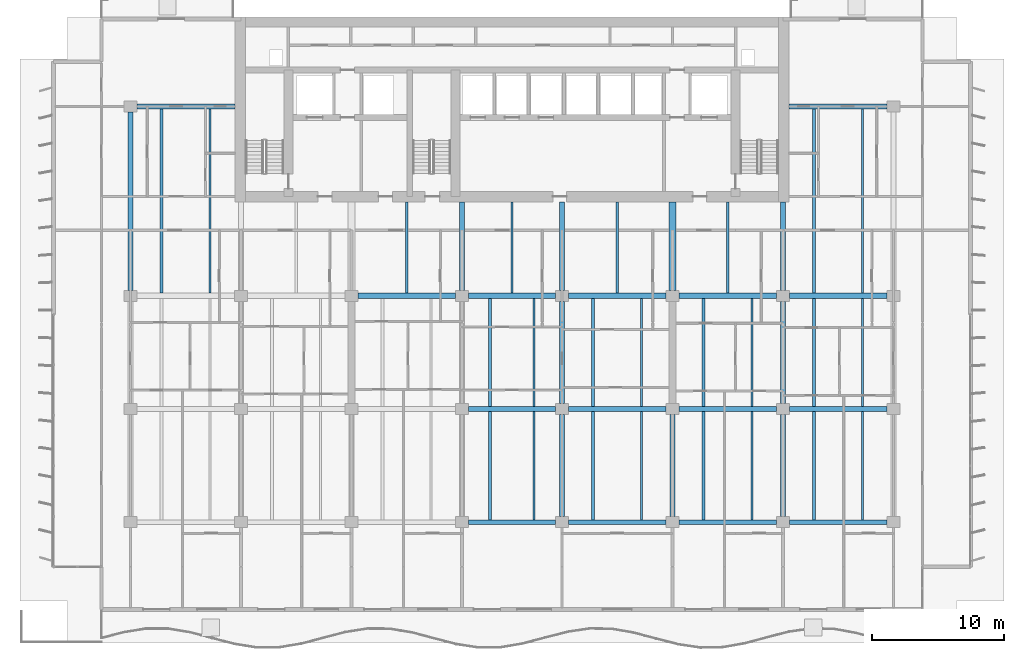
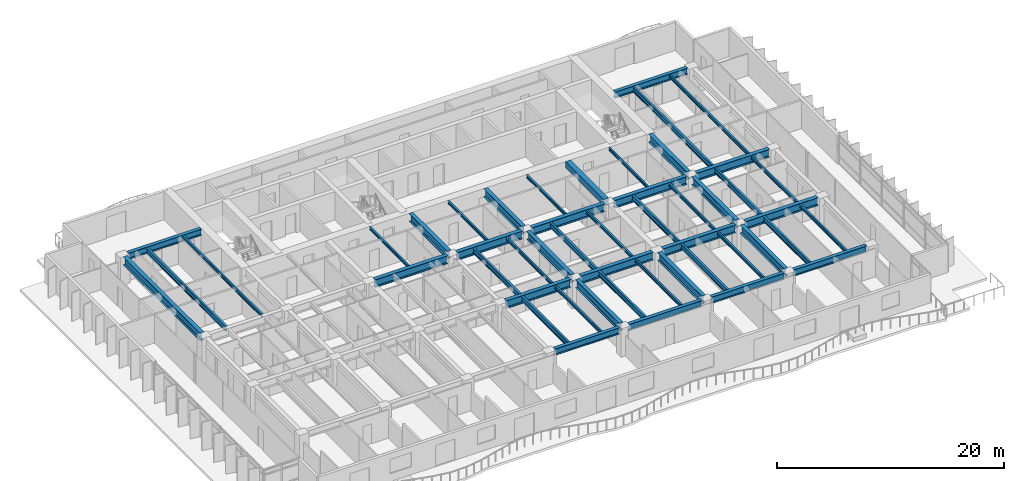
# One storey, part 3 of 17: 49 beams.
"""IFC4 building model written with IfcOpenShell, lengths in metres."""

from ifc_helpers import new_model, si_unit, direction, frame, origin, origin_2d, place, context, subcontext, project, spatial, rectangle, i_section, extrude, material, material_profile, profile_set, type_object, element, save


model = new_model("IFC4")

# Units and contexts
model_context = context("Model", 3, precision=1e-05, world=origin(), true_north=direction((0.0, 1.0)))
body_context = subcontext(model_context, "Body", "Model", "MODEL_VIEW")
ifc_project = project(units=[si_unit("LENGTHUNIT", "METRE"), si_unit("AREAUNIT", "SQUARE_METRE"), si_unit("VOLUMEUNIT", "CUBIC_METRE"), si_unit("PLANEANGLEUNIT", "RADIAN"), si_unit("MASSUNIT", "GRAM", prefix="KILO")], contexts=[model_context])

# Site, building, storey
site_placement = place(None, origin())
site = spatial("IfcSite", under=ifc_project, at=site_placement, CompositionType="ELEMENT")
building_placement = place(site_placement, origin())
building = spatial("IfcBuilding", under=site, at=building_placement, Name="Caelmar Bay Residences", CompositionType="ELEMENT")
storey_placement = place(building_placement, frame((0.0, 0.0, 84.60009765625)))
storey = spatial("IfcBuildingStorey", under=building, at=storey_placement, Name="L22", CompositionType="ELEMENT", Elevation=84.60009765625)

# Beams
ifc_material_1 = material(Name="Steel ASTM A992 Grade 50", Category="steel")
ifc_material_profile_1 = material_profile(ifc_material_1, i_section(OverallWidth=0.40087890625, OverallDepth=0.861083984375, WebThickness=0.019775390625, FlangeThickness=0.032470703125, FilletRadius=0.017822265625, at=origin_2d()), Name="W33X221")
ifc_profile_set_1 = profile_set([ifc_material_profile_1], Name="Steel ASTM A992 Grade 50")
beam_type_1 = type_object("IfcBeamType", Name="BM-GRD-W33X221", PredefinedType="BEAM", material=ifc_profile_set_1)
beam_1_placement = place(storey_placement, frame((35.590087890625, 20.800048828125, 2.619384765625), z_axis=(1.0, 0.0, 0.0), x_axis=(0.0, 1.0, 0.0)))
element("IfcBeam", 1, at=beam_1_placement, inside=storey, type_object=beam_type_1, Name="L22 East-West Girder Y=20.80 (35.1-42.7)", PredefinedType="BEAM", context=body_context, shape_type="SweptSolid", body=[
    extrude(i_section(OverallWidth=0.40087890625, OverallDepth=0.861083984375, WebThickness=0.019775390625, FlangeThickness=0.032470703125, FilletRadius=0.017822265625, at=origin_2d()), origin(), (0.0, 0.0, 1.0), 6.619873046875),
])
beam_2_placement = place(storey_placement, frame((43.18994140625, 20.800048828125, 2.619384765625), z_axis=(1.0, 0.0, 0.0), x_axis=(0.0, 1.0, 0.0)))
element("IfcBeam", 2, at=beam_2_placement, inside=storey, type_object=beam_type_1, Name="L22 East-West Girder Y=20.80 (42.7-51.1)", PredefinedType="BEAM", context=body_context, shape_type="SweptSolid", body=[
    extrude(i_section(OverallWidth=0.40087890625, OverallDepth=0.861083984375, WebThickness=0.019775390625, FlangeThickness=0.032470703125, FilletRadius=0.017822265625, at=origin_2d()), origin(), (0.0, 0.0, 1.0), 7.420166015625),
])
for number, where, z_axis, x_axis, name in (
    (3, (51.590087890625, 20.800048828125, 2.619384765625), (1.0, 0.0, 0.0), (0.0, 1.0, 0.0), "L22 East-West Girder Y=20.80 (51.1-59.5)"),
    (4, (59.989990234375, 20.800048828125, 2.619384765625), (1.0, 0.0, 0.0), (0.0, 1.0, 0.0), "L22 East-West Girder Y=20.80 (59.5-67.9)"),
):
    element("IfcBeam", number, at=place(storey_placement, frame(where, z_axis=z_axis, x_axis=x_axis)), inside=storey, type_object=beam_type_1, Name=name, PredefinedType="BEAM", context=body_context, shape_type="SweptSolid", body=[
        extrude(i_section(OverallWidth=0.40087890625, OverallDepth=0.861083984375, WebThickness=0.019775390625, FlangeThickness=0.032470703125, FilletRadius=0.017822265625, at=origin_2d()), origin(), (0.0, 0.0, 1.0), 7.419921875),
    ])
beam_3_placement = place(storey_placement, frame((27.18994140625, 29.39990234375, 2.619384765625), z_axis=(1.0, 0.0, 0.0), x_axis=(0.0, 1.0, 0.0)))
element("IfcBeam", 5, at=beam_3_placement, inside=storey, type_object=beam_type_1, Name="L22 East-West Girder Y=29.40 (26.7-35.1)", PredefinedType="BEAM", context=body_context, shape_type="SweptSolid", body=[
    extrude(i_section(OverallWidth=0.40087890625, OverallDepth=0.861083984375, WebThickness=0.019775390625, FlangeThickness=0.032470703125, FilletRadius=0.017822265625, at=origin_2d()), origin(), (0.0, 0.0, 1.0), 7.420166015625),
])
beam_4_placement = place(storey_placement, frame((35.590087890625, 29.39990234375, 2.619384765625), z_axis=(1.0, 0.0, 0.0), x_axis=(0.0, 1.0, 0.0)))
element("IfcBeam", 6, at=beam_4_placement, inside=storey, type_object=beam_type_1, Name="L22 East-West Girder Y=29.40 (35.1-42.7)", PredefinedType="BEAM", context=body_context, shape_type="SweptSolid", body=[
    extrude(i_section(OverallWidth=0.40087890625, OverallDepth=0.861083984375, WebThickness=0.019775390625, FlangeThickness=0.032470703125, FilletRadius=0.017822265625, at=origin_2d()), origin(), (0.0, 0.0, 1.0), 6.619873046875),
])
beam_5_placement = place(storey_placement, frame((43.18994140625, 29.39990234375, 2.619384765625), z_axis=(1.0, 0.0, 0.0), x_axis=(0.0, 1.0, 0.0)))
element("IfcBeam", 7, at=beam_5_placement, inside=storey, type_object=beam_type_1, Name="L22 East-West Girder Y=29.40 (42.7-51.1)", PredefinedType="BEAM", context=body_context, shape_type="SweptSolid", body=[
    extrude(i_section(OverallWidth=0.40087890625, OverallDepth=0.861083984375, WebThickness=0.019775390625, FlangeThickness=0.032470703125, FilletRadius=0.017822265625, at=origin_2d()), origin(), (0.0, 0.0, 1.0), 7.420166015625),
])
for number, where, z_axis, x_axis, name in (
    (8, (51.590087890625, 29.39990234375, 2.619384765625), (1.0, 0.0, 0.0), (0.0, 1.0, 0.0), "L22 East-West Girder Y=29.40 (51.1-59.5)"),
    (9, (59.989990234375, 29.39990234375, 2.619384765625), (1.0, 0.0, 0.0), (0.0, 1.0, 0.0), "L22 East-West Girder Y=29.40 (59.5-67.9)"),
):
    element("IfcBeam", number, at=place(storey_placement, frame(where, z_axis=z_axis, x_axis=x_axis)), inside=storey, type_object=beam_type_1, Name=name, PredefinedType="BEAM", context=body_context, shape_type="SweptSolid", body=[
        extrude(i_section(OverallWidth=0.40087890625, OverallDepth=0.861083984375, WebThickness=0.019775390625, FlangeThickness=0.032470703125, FilletRadius=0.017822265625, at=origin_2d()), origin(), (0.0, 0.0, 1.0), 7.419921875),
    ])
beam_6_placement = place(storey_placement, frame((9.89990234375, 29.81494140625, 2.619384765625), z_axis=(0.0, 1.0, 0.0), x_axis=(-1.0, 0.0, 0.0)))
element("IfcBeam", 10, at=beam_6_placement, inside=storey, type_object=beam_type_1, Name="L22 North-South Girder X=9.90 (29.4-43.8)", PredefinedType="BEAM", context=body_context, shape_type="SweptSolid", body=[
    extrude(i_section(OverallWidth=0.40087890625, OverallDepth=0.861083984375, WebThickness=0.019775390625, FlangeThickness=0.032470703125, FilletRadius=0.017822265625, at=origin_2d()), origin(), (0.0, 0.0, 1.0), 13.570068359375),
])
for number, where, z_axis, x_axis, name in (
    (11, (35.10009765625, 29.81494140625, 2.619384765625), (0.0, 1.0, 0.0), (-1.0, 0.0, 0.0), "L22 Core Tie Girder X=35.10"),
    (12, (42.699951171875, 29.81494140625, 2.619384765625), (0.0, 1.0, 0.0), (-1.0, 0.0, 0.0), "L22 Core Tie Girder X=42.70"),
):
    element("IfcBeam", number, at=place(storey_placement, frame(where, z_axis=z_axis, x_axis=x_axis)), inside=storey, type_object=beam_type_1, Name=name, PredefinedType="BEAM", context=body_context, shape_type="SweptSolid", body=[
        extrude(i_section(OverallWidth=0.40087890625, OverallDepth=0.861083984375, WebThickness=0.019775390625, FlangeThickness=0.032470703125, FilletRadius=0.017822265625, at=origin_2d()), origin(), (0.0, 0.0, 1.0), 6.735107421875),
    ])
for number, where, z_axis, x_axis, name in (
    (13, (42.699951171875, 12.614990234375, 2.619384765625), (0.0, 1.0, 0.0), (-1.0, 0.0, 0.0), "L22 North-South Girder X=42.70 (12.2-20.8)"),
    (14, (42.699951171875, 21.215087890625, 2.619384765625), (0.0, 1.0, 0.0), (-1.0, 0.0, 0.0), "L22 North-South Girder X=42.70 (20.8-29.4)"),
    (15, (51.10009765625, 12.614990234375, 2.619384765625), (0.0, 1.0, 0.0), (-1.0, 0.0, 0.0), "L22 North-South Girder X=51.10 (12.2-20.8)"),
):
    element("IfcBeam", number, at=place(storey_placement, frame(where, z_axis=z_axis, x_axis=x_axis)), inside=storey, type_object=beam_type_1, Name=name, PredefinedType="BEAM", context=body_context, shape_type="SweptSolid", body=[
        extrude(i_section(OverallWidth=0.40087890625, OverallDepth=0.861083984375, WebThickness=0.019775390625, FlangeThickness=0.032470703125, FilletRadius=0.017822265625, at=origin_2d()), origin(), (0.0, 0.0, 1.0), 7.77001953125),
    ])
beam_7_placement = place(storey_placement, frame((59.5, 29.81494140625, 2.619384765625), z_axis=(0.0, 1.0, 0.0), x_axis=(-1.0, 0.0, 0.0)))
element("IfcBeam", 16, at=beam_7_placement, inside=storey, type_object=beam_type_1, Name="L22 Core Tie Girder X=59.50", PredefinedType="BEAM", context=body_context, shape_type="SweptSolid", body=[
    extrude(i_section(OverallWidth=0.40087890625, OverallDepth=0.861083984375, WebThickness=0.019775390625, FlangeThickness=0.032470703125, FilletRadius=0.017822265625, at=origin_2d()), origin(), (0.0, 0.0, 1.0), 6.735107421875),
])
for number, where, z_axis, x_axis, name in (
    (17, (59.5, 12.614990234375, 2.619384765625), (0.0, 1.0, 0.0), (-1.0, 0.0, 0.0), "L22 North-South Girder X=59.50 (12.2-20.8)"),
    (18, (59.5, 21.215087890625, 2.619384765625), (0.0, 1.0, 0.0), (-1.0, 0.0, 0.0), "L22 North-South Girder X=59.50 (20.8-29.4)"),
):
    element("IfcBeam", number, at=place(storey_placement, frame(where, z_axis=z_axis, x_axis=x_axis)), inside=storey, type_object=beam_type_1, Name=name, PredefinedType="BEAM", context=body_context, shape_type="SweptSolid", body=[
        extrude(i_section(OverallWidth=0.40087890625, OverallDepth=0.861083984375, WebThickness=0.019775390625, FlangeThickness=0.032470703125, FilletRadius=0.017822265625, at=origin_2d()), origin(), (0.0, 0.0, 1.0), 7.77001953125),
    ])
ifc_material_profile_2 = material_profile(ifc_material_1, i_section(OverallWidth=0.1650390625, OverallDepth=0.31005859375, WebThickness=0.005859375, FlangeThickness=0.009765625, FilletRadius=0.007568359375, at=origin_2d()), Name="W12X26")
ifc_profile_set_2 = profile_set([ifc_material_profile_2], Name="Steel ASTM A992 Grade 50")
beam_type_2 = type_object("IfcBeamType", Name="BM-JST-W12X26", PredefinedType="JOIST", material=ifc_profile_set_2)
for number, where, z_axis, x_axis, name in (
    (19, (30.89990234375, 29.6005859375, 2.89501953125), (0.0, 1.0, 0.0), (-1.0, 0.0, 0.0), "L22 Core-Band Composite Joist 30"),
    (20, (38.89990234375, 29.6005859375, 2.89501953125), (0.0, 1.0, 0.0), (-1.0, 0.0, 0.0), "L22 Core-Band Composite Joist 31"),
    (21, (46.89990234375, 29.6005859375, 2.89501953125), (0.0, 1.0, 0.0), (-1.0, 0.0, 0.0), "L22 Core-Band Composite Joist 32"),
    (22, (55.300048828125, 29.6005859375, 2.89501953125), (0.0, 1.0, 0.0), (-1.0, 0.0, 0.0), "L22 Core-Band Composite Joist 33"),
):
    element("IfcBeam", number, at=place(storey_placement, frame(where, z_axis=z_axis, x_axis=x_axis)), inside=storey, type_object=beam_type_2, Name=name, PredefinedType="JOIST", context=body_context, shape_type="SweptSolid", body=[
        extrude(i_section(OverallWidth=0.1650390625, OverallDepth=0.31005859375, WebThickness=0.005859375, FlangeThickness=0.009765625, FilletRadius=0.007568359375, at=origin_2d()), origin(), (0.0, 0.0, 1.0), 6.949462890625),
    ])
ifc_material_profile_3 = material_profile(ifc_material_1, i_section(OverallWidth=0.1708984375, OverallDepth=0.35595703125, WebThickness=0.007080078125, FlangeThickness=0.01171875, FilletRadius=0.007568359375, at=origin_2d()), Name="W14X34")
ifc_profile_set_3 = profile_set([ifc_material_profile_3], Name="Steel ASTM A992 Grade 50")
beam_type_3 = type_object("IfcBeamType", Name="BM-JST-W14X34", PredefinedType="JOIST", material=ifc_profile_set_3)
for number, where, z_axis, x_axis, name in (
    (23, (40.572021484375, 12.3779296875, 2.871826171875), (0.0, 1.0, 0.0), (-1.0, 0.0, 0.0), "L22 Composite Floor Joist 8"),
    (24, (48.748046875, 12.3779296875, 2.871826171875), (0.0, 1.0, 0.0), (-1.0, 0.0, 0.0), "L22 Composite Floor Joist 10"),
    (25, (57.14794921875, 12.3779296875, 2.871826171875), (0.0, 1.0, 0.0), (-1.0, 0.0, 0.0), "L22 Composite Floor Joist 12"),
    (26, (65.548095703125, 12.3779296875, 2.871826171875), (0.0, 1.0, 0.0), (-1.0, 0.0, 0.0), "L22 Composite Floor Joist 14"),
):
    element("IfcBeam", number, at=place(storey_placement, frame(where, z_axis=z_axis, x_axis=x_axis)), inside=storey, type_object=beam_type_3, Name=name, PredefinedType="JOIST", context=body_context, shape_type="SweptSolid", body=[
        extrude(i_section(OverallWidth=0.1708984375, OverallDepth=0.35595703125, WebThickness=0.007080078125, FlangeThickness=0.01171875, FilletRadius=0.007568359375, at=origin_2d()), origin(), (0.0, 0.0, 1.0), 8.2216796875),
    ])
for number, where, z_axis, x_axis, name in (
    (27, (40.572021484375, 21.00048828125, 2.871826171875), (0.0, 1.0, 0.0), (-1.0, 0.0, 0.0), "L22 Composite Floor Joist 22"),
    (28, (48.748046875, 21.00048828125, 2.871826171875), (0.0, 1.0, 0.0), (-1.0, 0.0, 0.0), "L22 Composite Floor Joist 24"),
    (29, (57.14794921875, 21.00048828125, 2.871826171875), (0.0, 1.0, 0.0), (-1.0, 0.0, 0.0), "L22 Composite Floor Joist 26"),
    (30, (65.548095703125, 21.00048828125, 2.871826171875), (0.0, 1.0, 0.0), (-1.0, 0.0, 0.0), "L22 Composite Floor Joist 28"),
):
    element("IfcBeam", number, at=place(storey_placement, frame(where, z_axis=z_axis, x_axis=x_axis)), inside=storey, type_object=beam_type_3, Name=name, PredefinedType="JOIST", context=body_context, shape_type="SweptSolid", body=[
        extrude(i_section(OverallWidth=0.1708984375, OverallDepth=0.35595703125, WebThickness=0.007080078125, FlangeThickness=0.01171875, FilletRadius=0.007568359375, at=origin_2d()), origin(), (0.0, 0.0, 1.0), 8.198974609375),
    ])
for number, where, z_axis, x_axis, name in (
    (31, (15.947998046875, 29.6005859375, 2.871826171875), (0.0, 1.0, 0.0), (-1.0, 0.0, 0.0), "L22 Composite Floor Joist 35"),
    (32, (65.548095703125, 29.6005859375, 2.871826171875), (0.0, 1.0, 0.0), (-1.0, 0.0, 0.0), "L22 Composite Floor Joist 37"),
):
    element("IfcBeam", number, at=place(storey_placement, frame(where, z_axis=z_axis, x_axis=x_axis)), inside=storey, type_object=beam_type_3, Name=name, PredefinedType="JOIST", context=body_context, shape_type="SweptSolid", body=[
        extrude(i_section(OverallWidth=0.1708984375, OverallDepth=0.35595703125, WebThickness=0.007080078125, FlangeThickness=0.01171875, FilletRadius=0.007568359375, at=origin_2d()), origin(), (0.0, 0.0, 1.0), 14.021484375),
    ])
ifc_material_profile_4 = material_profile(ifc_material_1, i_section(OverallWidth=0.214111328125, OverallDepth=0.549072265625, WebThickness=0.0146484375, FlangeThickness=0.023681640625, FilletRadius=0.0126953125, at=origin_2d()), Name="W21X93")
ifc_profile_set_4 = profile_set([ifc_material_profile_4], Name="Steel ASTM A992 Grade 50")
beam_type_4 = type_object("IfcBeamType", Name="BM-JST-W21X93", PredefinedType="JOIST", material=ifc_profile_set_4)
for number, where, z_axis, x_axis, name in (
    (33, (37.22802734375, 12.3779296875, 2.775390625), (0.0, 1.0, 0.0), (-1.0, 0.0, 0.0), "L22 Composite Floor Joist 7"),
    (34, (45.052001953125, 12.3779296875, 2.775390625), (0.0, 1.0, 0.0), (-1.0, 0.0, 0.0), "L22 Composite Floor Joist 9"),
    (35, (53.451904296875, 12.3779296875, 2.775390625), (0.0, 1.0, 0.0), (-1.0, 0.0, 0.0), "L22 Composite Floor Joist 11"),
    (36, (61.85205078125, 12.3779296875, 2.775390625), (0.0, 1.0, 0.0), (-1.0, 0.0, 0.0), "L22 Composite Floor Joist 13"),
):
    element("IfcBeam", number, at=place(storey_placement, frame(where, z_axis=z_axis, x_axis=x_axis)), inside=storey, type_object=beam_type_4, Name=name, PredefinedType="JOIST", context=body_context, shape_type="SweptSolid", body=[
        extrude(i_section(OverallWidth=0.214111328125, OverallDepth=0.549072265625, WebThickness=0.0146484375, FlangeThickness=0.023681640625, FilletRadius=0.0126953125, at=origin_2d()), origin(), (0.0, 0.0, 1.0), 8.2216796875),
    ])
for number, where, z_axis, x_axis, name in (
    (37, (37.22802734375, 21.00048828125, 2.775390625), (0.0, 1.0, 0.0), (-1.0, 0.0, 0.0), "L22 Composite Floor Joist 21"),
    (38, (45.052001953125, 21.00048828125, 2.775390625), (0.0, 1.0, 0.0), (-1.0, 0.0, 0.0), "L22 Composite Floor Joist 23"),
    (39, (53.451904296875, 21.00048828125, 2.775390625), (0.0, 1.0, 0.0), (-1.0, 0.0, 0.0), "L22 Composite Floor Joist 25"),
    (40, (61.85205078125, 21.00048828125, 2.775390625), (0.0, 1.0, 0.0), (-1.0, 0.0, 0.0), "L22 Composite Floor Joist 27"),
):
    element("IfcBeam", number, at=place(storey_placement, frame(where, z_axis=z_axis, x_axis=x_axis)), inside=storey, type_object=beam_type_4, Name=name, PredefinedType="JOIST", context=body_context, shape_type="SweptSolid", body=[
        extrude(i_section(OverallWidth=0.214111328125, OverallDepth=0.549072265625, WebThickness=0.0146484375, FlangeThickness=0.023681640625, FilletRadius=0.0126953125, at=origin_2d()), origin(), (0.0, 0.0, 1.0), 8.198974609375),
    ])
for number, where, z_axis, x_axis, name in (
    (41, (12.251953125, 29.6005859375, 2.775390625), (0.0, 1.0, 0.0), (-1.0, 0.0, 0.0), "L22 Composite Floor Joist 34"),
    (42, (61.85205078125, 29.6005859375, 2.775390625), (0.0, 1.0, 0.0), (-1.0, 0.0, 0.0), "L22 Composite Floor Joist 36"),
):
    element("IfcBeam", number, at=place(storey_placement, frame(where, z_axis=z_axis, x_axis=x_axis)), inside=storey, type_object=beam_type_4, Name=name, PredefinedType="JOIST", context=body_context, shape_type="SweptSolid", body=[
        extrude(i_section(OverallWidth=0.214111328125, OverallDepth=0.549072265625, WebThickness=0.0146484375, FlangeThickness=0.023681640625, FilletRadius=0.0126953125, at=origin_2d()), origin(), (0.0, 0.0, 1.0), 14.021484375),
    ])
ifc_material_2 = material(Name="Concrete f'c 55 MPa (8,000 psi)", Category="concrete")
ifc_material_profile_5 = material_profile(ifc_material_2, rectangle(XDim=0.5, YDim=0.699951171875, at=origin_2d()), Name="RC-BM-500X700")
ifc_profile_set_5 = profile_set([ifc_material_profile_5], Name="Concrete f'c 55 MPa (8,000 psi)")
beam_type_5 = type_object("IfcBeamType", Name="BM-RC-500X700", PredefinedType="LINTEL", material=ifc_profile_set_5)
beam_8_placement = place(storey_placement, frame((51.10009765625, 29.81494140625, 2.699951171875), z_axis=(0.0, 1.0, 0.0), x_axis=(-1.0, 0.0, 0.0)))
element("IfcBeam", 43, at=beam_8_placement, inside=storey, type_object=beam_type_5, Name="L22 Shear-Wall Corridor Coupling Lintel E8", PredefinedType="LINTEL", context=body_context, shape_type="SweptSolid", body=[
    extrude(rectangle(XDim=0.5, YDim=0.699951171875, at=origin_2d()), origin(), (0.0, 0.0, 1.0), 6.735107421875),
])
ifc_material_profile_6 = material_profile(ifc_material_1, i_section(OverallWidth=0.35595703125, OverallDepth=0.696044921875, WebThickness=0.015380859375, FlangeThickness=0.02490234375, FilletRadius=0.01513671875, at=origin_2d()), Name="W27X146")
ifc_profile_set_6 = profile_set([ifc_material_profile_6], Name="Steel ASTM A992 Grade 50")
beam_type_6 = type_object("IfcBeamType", Name="BM-SPN-W27X146", PredefinedType="SPANDREL", material=ifc_profile_set_6)
beam_9_placement = place(storey_placement, frame((35.590087890625, 12.199951171875, 2.701904296875), z_axis=(1.0, 0.0, 0.0), x_axis=(0.0, 1.0, 0.0)))
element("IfcBeam", 44, at=beam_9_placement, inside=storey, type_object=beam_type_6, Name="L22 East-West Girder Y=12.20 (35.1-42.7)", PredefinedType="SPANDREL", context=body_context, shape_type="SweptSolid", body=[
    extrude(i_section(OverallWidth=0.35595703125, OverallDepth=0.696044921875, WebThickness=0.015380859375, FlangeThickness=0.02490234375, FilletRadius=0.01513671875, at=origin_2d()), origin(), (0.0, 0.0, 1.0), 6.619873046875),
])
beam_10_placement = place(storey_placement, frame((43.18994140625, 12.199951171875, 2.701904296875), z_axis=(1.0, 0.0, 0.0), x_axis=(0.0, 1.0, 0.0)))
element("IfcBeam", 45, at=beam_10_placement, inside=storey, type_object=beam_type_6, Name="L22 East-West Girder Y=12.20 (42.7-51.1)", PredefinedType="SPANDREL", context=body_context, shape_type="SweptSolid", body=[
    extrude(i_section(OverallWidth=0.35595703125, OverallDepth=0.696044921875, WebThickness=0.015380859375, FlangeThickness=0.02490234375, FilletRadius=0.01513671875, at=origin_2d()), origin(), (0.0, 0.0, 1.0), 7.420166015625),
])
for number, where, z_axis, x_axis, name in (
    (46, (51.590087890625, 12.199951171875, 2.701904296875), (1.0, 0.0, 0.0), (0.0, 1.0, 0.0), "L22 East-West Girder Y=12.20 (51.1-59.5)"),
    (47, (59.989990234375, 12.199951171875, 2.701904296875), (1.0, 0.0, 0.0), (0.0, 1.0, 0.0), "L22 East-West Girder Y=12.20 (59.5-67.9)"),
):
    element("IfcBeam", number, at=place(storey_placement, frame(where, z_axis=z_axis, x_axis=x_axis)), inside=storey, type_object=beam_type_6, Name=name, PredefinedType="SPANDREL", context=body_context, shape_type="SweptSolid", body=[
        extrude(i_section(OverallWidth=0.35595703125, OverallDepth=0.696044921875, WebThickness=0.015380859375, FlangeThickness=0.02490234375, FilletRadius=0.01513671875, at=origin_2d()), origin(), (0.0, 0.0, 1.0), 7.419921875),
    ])
beam_11_placement = place(storey_placement, frame((10.389892578125, 43.800048828125, 2.701904296875), z_axis=(1.0, 0.0, 0.0), x_axis=(0.0, 1.0, 0.0)))
element("IfcBeam", 48, at=beam_11_placement, inside=storey, type_object=beam_type_6, Name="L22 North-West Wing Core Tie Girder", PredefinedType="SPANDREL", context=body_context, shape_type="SweptSolid", body=[
    extrude(i_section(OverallWidth=0.35595703125, OverallDepth=0.696044921875, WebThickness=0.015380859375, FlangeThickness=0.02490234375, FilletRadius=0.01513671875, at=origin_2d()), origin(), (0.0, 0.0, 1.0), 7.460205078125),
])
beam_12_placement = place(storey_placement, frame((59.949951171875, 43.800048828125, 2.701904296875), z_axis=(1.0, 0.0, 0.0), x_axis=(0.0, 1.0, 0.0)))
element("IfcBeam", 49, at=beam_12_placement, inside=storey, type_object=beam_type_6, Name="L22 North-East Wing Core Tie Girder", PredefinedType="SPANDREL", context=body_context, shape_type="SweptSolid", body=[
    extrude(i_section(OverallWidth=0.35595703125, OverallDepth=0.696044921875, WebThickness=0.015380859375, FlangeThickness=0.02490234375, FilletRadius=0.01513671875, at=origin_2d()), origin(), (0.0, 0.0, 1.0), 7.4599609375),
])

save(model, "model.ifc")
